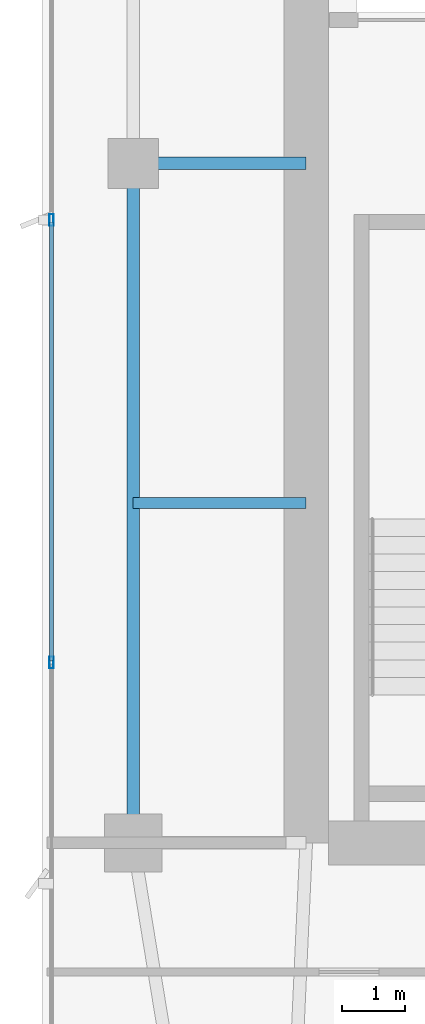
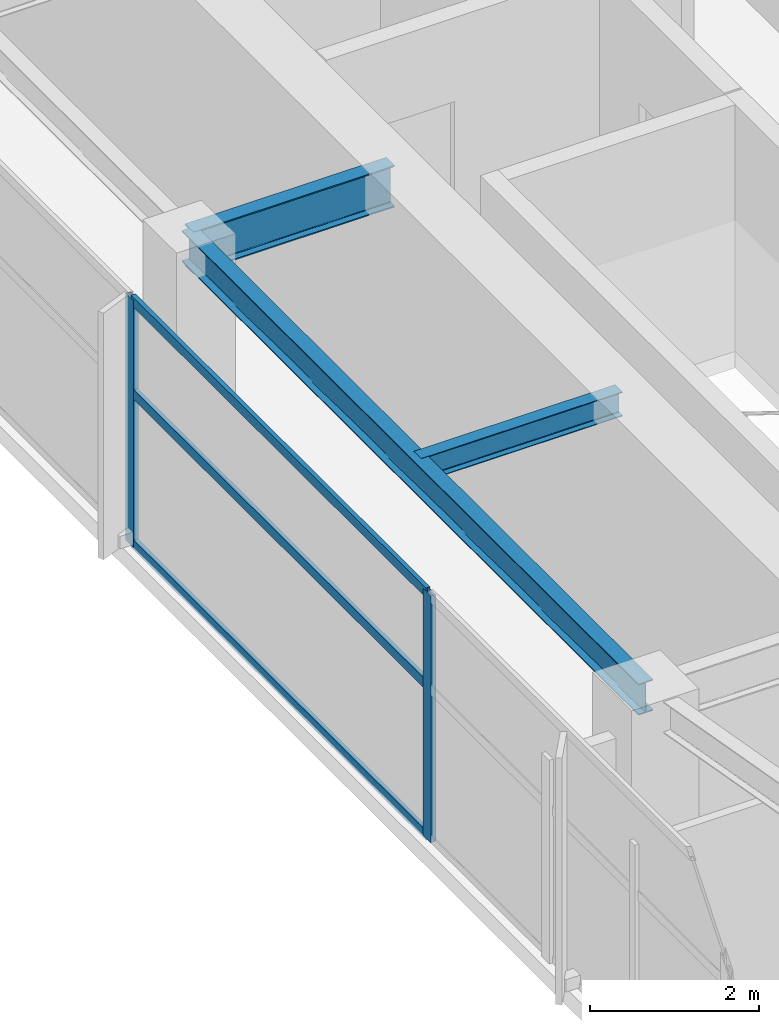
# One storey, part 8 of 30: 5 members, 3 beams, 1 element without a shape of its own.
"""IFC4 building model written with IfcOpenShell, lengths in metres."""

from ifc_helpers import new_model, si_unit, direction, frame, origin, origin_2d, place, context, subcontext, project, spatial, hollow_rectangle, i_section, extrude, material, layer, layer_set, material_profile, profile_set, type_object, element, aggregate, save


model = new_model("IFC4")

# Units and contexts
model_context = context("Model", 3, precision=1e-05, world=origin(), true_north=direction((0.0, 1.0)))
body_context = subcontext(model_context, "Body", "Model", "MODEL_VIEW")
ifc_project = project(units=[si_unit("LENGTHUNIT", "METRE"), si_unit("AREAUNIT", "SQUARE_METRE"), si_unit("VOLUMEUNIT", "CUBIC_METRE"), si_unit("PLANEANGLEUNIT", "RADIAN"), si_unit("MASSUNIT", "GRAM", prefix="KILO")], contexts=[model_context])

# Site, building, storey
site_placement = place(None, origin())
site = spatial("IfcSite", under=ifc_project, at=site_placement, CompositionType="ELEMENT")
building_placement = place(site_placement, origin())
building = spatial("IfcBuilding", under=site, at=building_placement, Name="Calvorn Quay Hotel", CompositionType="ELEMENT")
storey_placement = place(building_placement, frame((0.0, 0.0, 207.199951171875)))
storey = spatial("IfcBuildingStorey", under=building, at=storey_placement, Name="L51", CompositionType="ELEMENT", Elevation=207.199951171875)

# Beams
ifc_material_1 = material(Name="Steel Q355B", Category="steel")
ifc_material_profile_1 = material_profile(ifc_material_1, i_section(OverallWidth=0.199951171875, OverallDepth=0.60009765625, WebThickness=0.010986328125, FlangeThickness=0.01708984375, FilletRadius=0.01806640625, at=origin_2d()), Name="HN600x200x11x17")
ifc_profile_set_1 = profile_set([ifc_material_profile_1], Name="Steel Q355B")
beam_type_1 = type_object("IfcBeamType", Name="BM-GIRD-TYP", PredefinedType="BEAM", material=ifc_profile_set_1)
beam_1_placement = place(storey_placement, frame((1.449951171875, 27.60009765625, 3.239990234375), z_axis=(1.0, 0.0, 0.0), x_axis=(0.0, 1.0, 0.0)))
element("IfcBeam", 1, at=beam_1_placement, inside=storey, type_object=beam_type_1, Name="Beam BG-L51-W2", PredefinedType="BEAM", context=body_context, shape_type="SweptSolid", body=[
    extrude(i_section(OverallWidth=0.199951171875, OverallDepth=0.60009765625, WebThickness=0.010986328125, FlangeThickness=0.01708984375, FilletRadius=0.01806640625, at=origin_2d()), origin(), (0.0, 0.0, 1.0), 2.75),
])
ifc_material_2 = material(Name="Steel Q355B", Category="steel")
ifc_material_profile_2 = material_profile(ifc_material_2, i_section(OverallWidth=0.175048828125, OverallDepth=0.35009765625, WebThickness=0.007080078125, FlangeThickness=0.010986328125, FilletRadius=0.013916015625, at=origin_2d()), Name="HN350x175x7x11")
ifc_profile_set_2 = profile_set([ifc_material_profile_2], Name="Steel Q355B")
beam_type_2 = type_object("IfcBeamType", Name="BM-JOIST-SEC", PredefinedType="JOIST", material=ifc_profile_set_2)
beam_2_placement = place(storey_placement, frame((1.449951171875, 22.199951171875, 3.364990234375), z_axis=(1.0, 0.0, 0.0), x_axis=(0.0, 1.0, 0.0)))
element("IfcBeam", 2, at=beam_2_placement, inside=storey, type_object=beam_type_2, Name="Beam BJ-L51-W3", PredefinedType="JOIST", context=body_context, shape_type="SweptSolid", body=[
    extrude(i_section(OverallWidth=0.175048828125, OverallDepth=0.35009765625, WebThickness=0.007080078125, FlangeThickness=0.010986328125, FilletRadius=0.013916015625, at=origin_2d()), origin(), (0.0, 0.0, 1.0), 2.75),
])
ifc_material_3 = material(Name="Steel Q355B", Category="steel")
ifc_material_profile_3 = material_profile(ifc_material_3, i_section(OverallWidth=0.199951171875, OverallDepth=0.449951171875, WebThickness=0.009033203125, FlangeThickness=0.013916015625, FilletRadius=0.01611328125, at=origin_2d()), Name="HN450x200x9x14")
ifc_profile_set_3 = profile_set([ifc_material_profile_3], Name="Steel Q355B")
beam_type_3 = type_object("IfcBeamType", Name="BM-SPANDREL-Z3", PredefinedType="SPANDREL", material=ifc_profile_set_3)
beam_3_placement = place(storey_placement, frame((1.449951171875, 16.800048828125, 3.31494140625), z_axis=(0.0, 1.0, 0.0), x_axis=(-1.0, 0.0, 0.0)))
element("IfcBeam", 3, at=beam_3_placement, inside=storey, type_object=beam_type_3, Name="Beam BSP-L51-W2", PredefinedType="SPANDREL", context=body_context, shape_type="SweptSolid", body=[
    extrude(i_section(OverallWidth=0.199951171875, OverallDepth=0.449951171875, WebThickness=0.009033203125, FlangeThickness=0.013916015625, FilletRadius=0.01611328125, at=origin_2d()), origin(), (0.0, 0.0, 1.0), 10.800048828125),
])

# Curtain wall, members
ifc_material_4 = material(Name="Champagne Bronze Anodised Aluminium and Low-E Glass", Category="aluminium")
ifc_layer = layer(ifc_material_4, 0.219970703125)
ifc_layer_set = layer_set([ifc_layer], Name="CW-SYS-Z3")
curtain_wall_type = type_object("IfcCurtainWallType", Name="CW-SYS-Z3", PredefinedType="NOTDEFINED", material=ifc_layer_set)
curtain_wall_placement = place(storey_placement, origin())
curtain_wall = element("IfcCurtainWall", 4, at=curtain_wall_placement, inside=storey, type_object=curtain_wall_type, Name="Tower West Curtain Wall (L51)", PredefinedType="NOTDEFINED")
ifc_material_5 = material(Name="Champagne Bronze Anodised Aluminium 6063-T6", Category="aluminium")
ifc_material_profile_4 = material_profile(ifc_material_5, hollow_rectangle(XDim=0.068115234375, YDim=0.18505859375, WallThickness=0.00390625, at=origin_2d()), Name="ALU-M185x68x4")
ifc_profile_set_4 = profile_set([ifc_material_profile_4], Name="Champagne Bronze Anodised Aluminium 6063-T6")
member_type_1 = type_object("IfcMemberType", Name="CW-SYS-Z3-MUL", PredefinedType="MULLION", material=ifc_profile_set_4)
member_1_placement = place(storey_placement, frame((0.14990234375, 19.666748046875, 0.0), z_axis=(0.0, 0.0, 1.0), x_axis=(-1.0, 0.0, 0.0)))
member_1 = element("IfcMember", 5, at=member_1_placement, type_object=member_type_1, Name="CW-L51-W mullion 3", PredefinedType="MULLION", context=body_context, shape_type="SweptSolid", body=[
    extrude(hollow_rectangle(XDim=0.068115234375, YDim=0.18505859375, WallThickness=0.00390625, at=origin_2d()), origin(), (0.0, 0.0, 1.0), 3.56005859375),
])
member_2_placement = place(storey_placement, frame((0.14990234375, 26.699951171875, 0.0), z_axis=(0.0, 0.0, 1.0), x_axis=(-1.0, 0.0, 0.0)))
member_2 = element("IfcMember", 6, at=member_2_placement, type_object=member_type_1, Name="CW-L51-W mullion 4", PredefinedType="MULLION", context=body_context, shape_type="SweptSolid", body=[
    extrude(hollow_rectangle(XDim=0.068115234375, YDim=0.18505859375, WallThickness=0.00390625, at=origin_2d()), origin(), (0.0, 0.0, 1.0), 3.56005859375),
])
ifc_material_6 = material(Name="Champagne Bronze Anodised Aluminium 6063-T6", Category="aluminium")
ifc_material_profile_5 = material_profile(ifc_material_6, hollow_rectangle(XDim=0.05810546875, YDim=0.139892578125, WallThickness=0.003173828125, at=origin_2d()), Name="ALU-T140x58x3.2")
ifc_profile_set_5 = profile_set([ifc_material_profile_5], Name="Champagne Bronze Anodised Aluminium 6063-T6")
member_type_2 = type_object("IfcMemberType", Name="CW-SYS-Z3-TRN", PredefinedType="USERDEFINED", material=ifc_profile_set_5)
member_3_placement = place(storey_placement, frame((0.14990234375, 19.69677734375, 0.030029296875), z_axis=(0.0, 1.0, 0.0), x_axis=(-1.0, 0.0, 0.0)))
member_3 = element("IfcMember", 7, at=member_3_placement, type_object=member_type_2, Name="CW-L51-W transom 3.1", ObjectType="TRANSOM", PredefinedType="USERDEFINED", context=body_context, shape_type="SweptSolid", body=[
    extrude(hollow_rectangle(XDim=0.05810546875, YDim=0.139892578125, WallThickness=0.003173828125, at=origin_2d()), origin(), (0.0, 0.0, 1.0), 6.97314453125),
])
member_4_placement = place(storey_placement, frame((0.14990234375, 19.69677734375, 2.199951171875), z_axis=(0.0, 1.0, 0.0), x_axis=(-1.0, 0.0, 0.0)))
member_4 = element("IfcMember", 8, at=member_4_placement, type_object=member_type_2, Name="CW-L51-W transom 3.2", ObjectType="TRANSOM", PredefinedType="USERDEFINED", context=body_context, shape_type="SweptSolid", body=[
    extrude(hollow_rectangle(XDim=0.05810546875, YDim=0.139892578125, WallThickness=0.003173828125, at=origin_2d()), origin(), (0.0, 0.0, 1.0), 6.97314453125),
])
member_5_placement = place(storey_placement, frame((0.14990234375, 19.69677734375, 3.530029296875), z_axis=(0.0, 1.0, 0.0), x_axis=(-1.0, 0.0, 0.0)))
member_5 = element("IfcMember", 9, at=member_5_placement, type_object=member_type_2, Name="CW-L51-W transom 3.3", ObjectType="TRANSOM", PredefinedType="USERDEFINED", context=body_context, shape_type="SweptSolid", body=[
    extrude(hollow_rectangle(XDim=0.05810546875, YDim=0.139892578125, WallThickness=0.003173828125, at=origin_2d()), origin(), (0.0, 0.0, 1.0), 6.97314453125),
])
aggregate(curtain_wall, [member_1, member_2, member_3, member_4, member_5])

save(model, "model.ifc")
